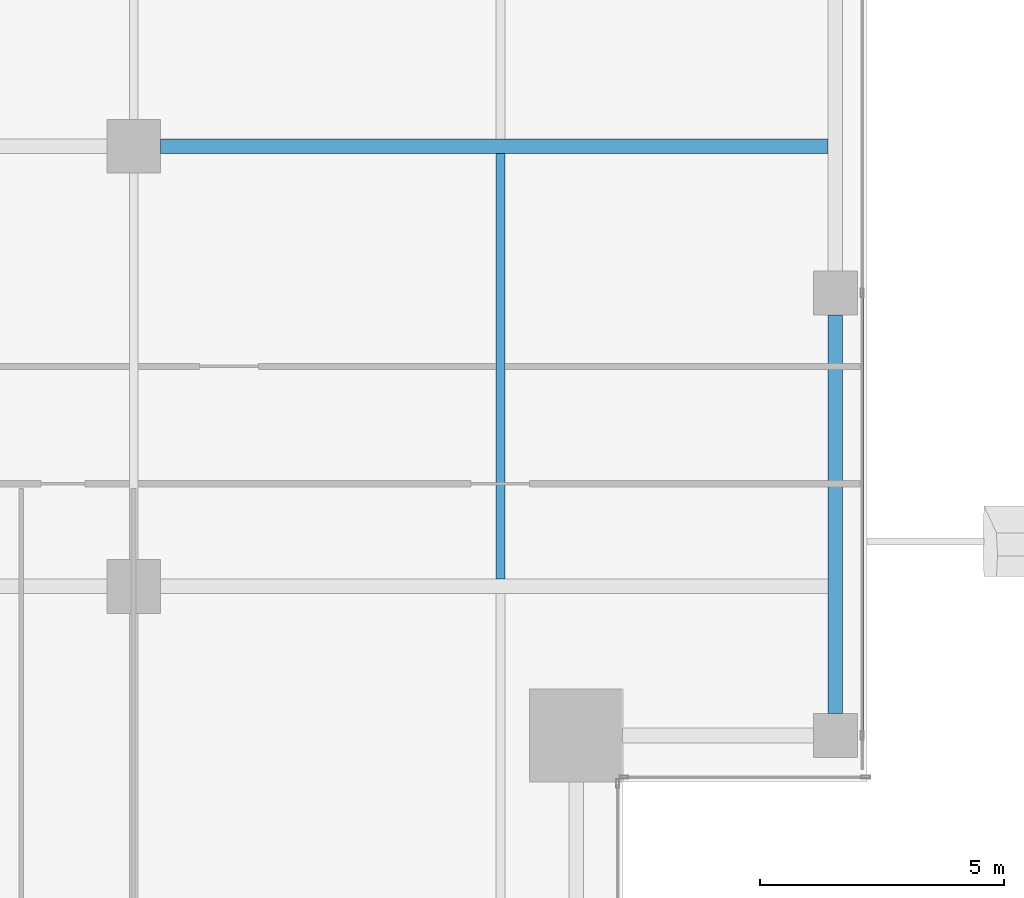
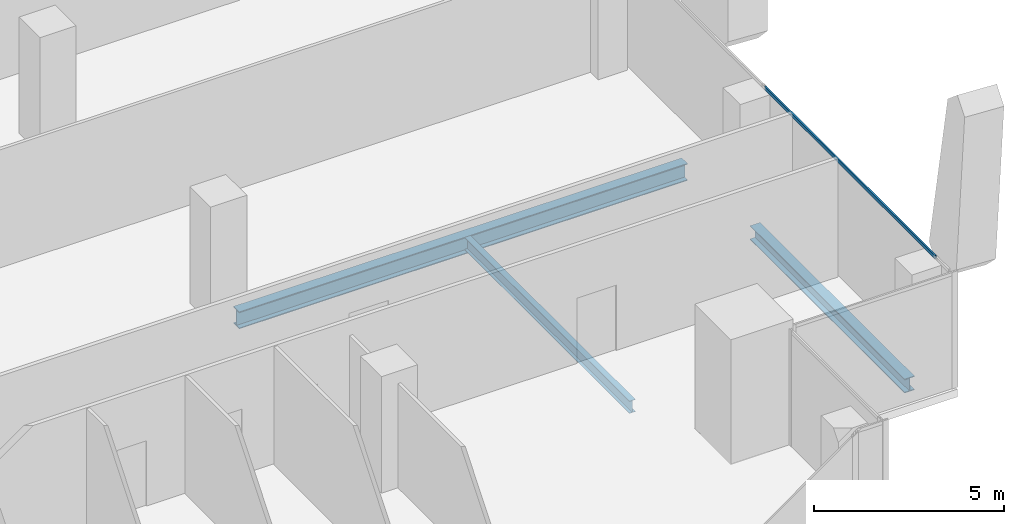
# One storey, part 10 of 35: 3 beams, 1 member, 1 element without a shape of its own.
"""IFC4 building model written with IfcOpenShell, lengths in metres."""

from ifc_helpers import new_model, si_unit, direction, frame, origin, origin_2d, place, context, subcontext, project, spatial, hollow_rectangle, i_section, extrude, source, transform, mapped, material, material_profile, profile_set, type_object, element, aggregate, save


model = new_model("IFC4")

# Units and contexts
model_context = context("Model", 3, precision=1e-05, world=origin(), true_north=direction((0.0, 1.0)))
body_context = subcontext(model_context, "Body", "Model", "MODEL_VIEW")
ifc_project = project(units=[si_unit("LENGTHUNIT", "METRE"), si_unit("AREAUNIT", "SQUARE_METRE"), si_unit("VOLUMEUNIT", "CUBIC_METRE"), si_unit("PLANEANGLEUNIT", "RADIAN"), si_unit("MASSUNIT", "GRAM", prefix="KILO")], contexts=[model_context])

# Site, building, storey
site_placement = place(None, origin())
site = spatial("IfcSite", under=ifc_project, at=site_placement, CompositionType="ELEMENT")
building_placement = place(site_placement, origin())
building = spatial("IfcBuilding", under=site, at=building_placement, Name="Khomas Fold Tower", CompositionType="ELEMENT")
storey_placement = place(building_placement, frame((0.0, 0.0, 250.199951171875)))
storey = spatial("IfcBuildingStorey", under=building, at=storey_placement, Name="L56", CompositionType="ELEMENT", Elevation=250.199951171875)

# Beams
ifc_material_1 = material(Name="Steel S355", Category="steel")
ifc_material_profile_1 = material_profile(ifc_material_1, i_section(OverallWidth=0.179931640625, OverallDepth=0.39990234375, WebThickness=0.008544921875, FlangeThickness=0.013427734375, at=origin_2d()), Name="IPE 400")
ifc_profile_set_1 = profile_set([ifc_material_profile_1], Name="Steel S355")
beam_type_1 = type_object("IfcBeamType", Name="IPE 400 beam JB3", PredefinedType="BEAM", material=ifc_profile_set_1)
shared_shape_1 = source(origin(), body_context, "Body", "SweptSolid", [
    extrude(i_section(OverallWidth=0.179931640625, OverallDepth=0.39990234375, WebThickness=0.008544921875, FlangeThickness=0.013427734375, at=origin_2d()), origin(), (0.0, 0.0, 1.0), 8.7001953125),
])
beam_1_placement = place(storey_placement, frame((42.0, 13.64990234375, -0.449951171875), z_axis=(0.0, 1.0, 0.0), x_axis=(-1.0, 0.0, 0.0)))
element("IfcBeam", 1, at=beam_1_placement, inside=storey, type_object=beam_type_1, Name="JB3", PredefinedType="BEAM", context=body_context, shape_type="MappedRepresentation", body=[
    mapped(shared_shape_1, transform((0.0, 0.0, 0.0))),
])
ifc_material_2 = material(Name="Steel S355", Category="steel")
ifc_material_profile_2 = material_profile(ifc_material_2, i_section(OverallWidth=0.300048828125, OverallDepth=0.449951171875, WebThickness=0.013916015625, FlangeThickness=0.02587890625, at=origin_2d()), Name="HE 450 B")
ifc_profile_set_2 = profile_set([ifc_material_profile_2], Name="Steel S355")
beam_type_2 = type_object("IfcBeamType", Name="HE 450 B spandrel SB4", PredefinedType="SPANDREL", material=ifc_profile_set_2)
shared_shape_2 = source(origin(), body_context, "Body", "SweptSolid", [
    extrude(i_section(OverallWidth=0.300048828125, OverallDepth=0.449951171875, WebThickness=0.013916015625, FlangeThickness=0.02587890625, at=origin_2d()), origin(), (0.0, 0.0, 1.0), 8.150146484375),
])
beam_2_placement = place(storey_placement, frame((48.85009765625, 10.89990234375, -0.474853515625), z_axis=(0.0, 1.0, 0.0), x_axis=(-1.0, 0.0, 0.0)))
element("IfcBeam", 2, at=beam_2_placement, inside=storey, type_object=beam_type_2, Name="SB4", PredefinedType="SPANDREL", context=body_context, shape_type="MappedRepresentation", body=[
    mapped(shared_shape_2, transform((0.0, 0.0, 0.0))),
])
ifc_material_3 = material(Name="Steel S355", Category="steel")
ifc_material_profile_3 = material_profile(ifc_material_3, i_section(OverallWidth=0.300048828125, OverallDepth=0.550048828125, WebThickness=0.014892578125, FlangeThickness=0.029052734375, at=origin_2d()), Name="HE 550 B")
ifc_profile_set_3 = profile_set([ifc_material_profile_3], Name="Steel S355")
beam_type_3 = type_object("IfcBeamType", Name="HE 550 B beam GB4", PredefinedType="BEAM", material=ifc_profile_set_3)
shared_shape_3 = source(origin(), body_context, "Body", "SweptSolid", [
    extrude(i_section(OverallWidth=0.300048828125, OverallDepth=0.550048828125, WebThickness=0.014892578125, FlangeThickness=0.029052734375, at=origin_2d()), origin(), (0.0, 0.0, 1.0), 13.64990234375),
])
beam_3_placement = place(storey_placement, frame((35.050048828125, 22.5, -0.52490234375), z_axis=(1.0, 0.0, 0.0), x_axis=(0.0, 1.0, 0.0)))
element("IfcBeam", 3, at=beam_3_placement, inside=storey, type_object=beam_type_3, Name="GB4", PredefinedType="BEAM", context=body_context, shape_type="MappedRepresentation", body=[
    mapped(shared_shape_3, transform((0.0, 0.0, 0.0))),
])

# Curtain wall, member
ifc_material_4 = material(Name="Aluminium framed double glazing", Category="aluminium")
curtain_wall_type = type_object("IfcCurtainWallType", Name="SK-Unitised clear-glass wall, office floors CW2", PredefinedType="NOTDEFINED", material=ifc_material_4)
curtain_wall_placement = place(storey_placement, origin())
curtain_wall = element("IfcCurtainWall", 4, at=curtain_wall_placement, inside=storey, type_object=curtain_wall_type, Name="CW2 run L56 03-0", PredefinedType="NOTDEFINED")
ifc_material_5 = material(Name="Aluminium", Category="aluminium")
ifc_material_profile_4 = material_profile(ifc_material_5, hollow_rectangle(XDim=0.050048828125, YDim=0.110107421875, WallThickness=0.00390625, at=origin_2d()), Name="SK-Unitised clear-glass wall, office floors transom CW2-T")
ifc_profile_set_4 = profile_set([ifc_material_profile_4], Name="Aluminium")
member_type = type_object("IfcMemberType", Name="SK-Unitised clear-glass wall, office floors transom CW2-T", PredefinedType="USERDEFINED", material=ifc_profile_set_4)
shared_shape_4 = source(origin(), body_context, "Body", "SweptSolid", [
    extrude(hollow_rectangle(XDim=0.050048828125, YDim=0.110107421875, WallThickness=0.00390625, at=origin_2d()), origin(), (0.0, 0.0, 1.0), 8.989990234375),
])
member_placement = place(storey_placement, frame((49.39990234375, 10.47998046875, 3.695068359375), z_axis=(0.0, 1.0, 0.0), x_axis=(-1.0, 0.0, 0.0)))
member = element("IfcMember", 5, at=member_placement, type_object=member_type, Name="CW2 transom 2", ObjectType="TRANSOM", PredefinedType="USERDEFINED", context=body_context, shape_type="MappedRepresentation", body=[
    mapped(shared_shape_4, transform((0.0, 0.0, 0.0))),
])
aggregate(curtain_wall, [member])

save(model, "model.ifc")
